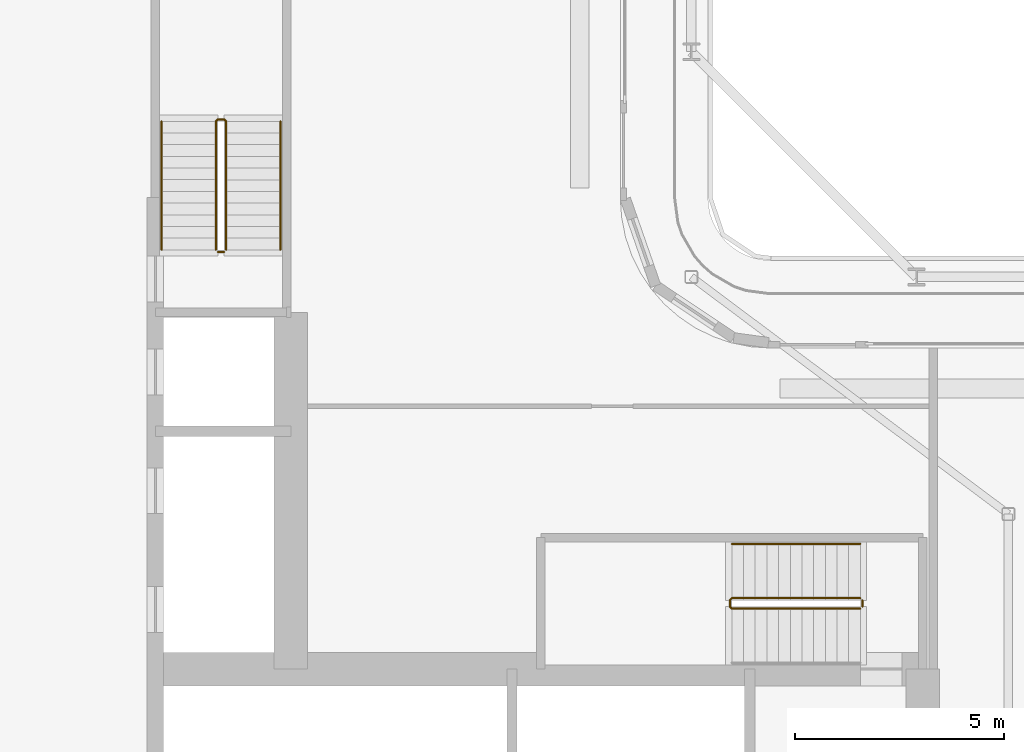
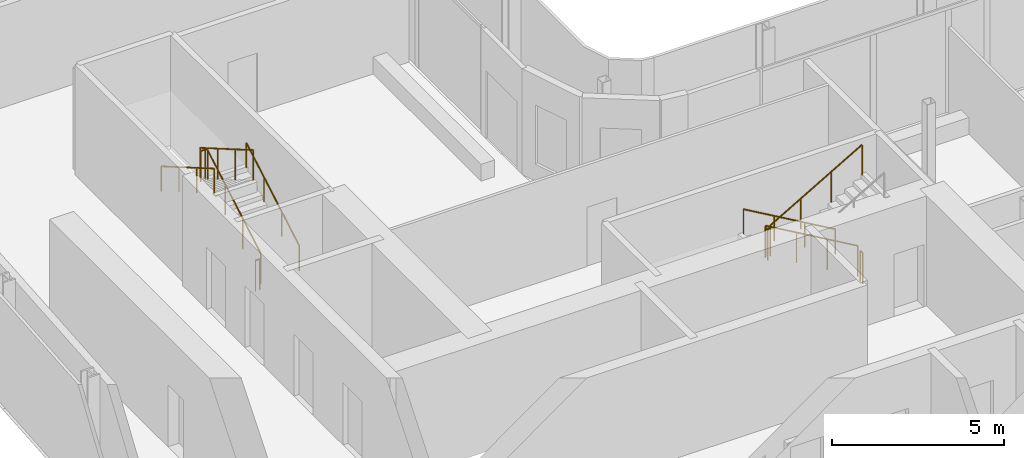
# One storey, part 24 of 29: 7 railings.
"""IFC4 building model written with IfcOpenShell, lengths in metres."""

from ifc_helpers import new_model, si_unit, direction, frame, origin, origin_2d, place, context, subcontext, project, spatial, circle, extrude, material, type_object, element, save


model = new_model("IFC4")

# Units and contexts
model_context = context("Model", 3, precision=1e-05, world=origin(), true_north=direction((0.0, 1.0)))
body_context = subcontext(model_context, "Body", "Model", "MODEL_VIEW")
ifc_project = project(units=[si_unit("LENGTHUNIT", "METRE"), si_unit("AREAUNIT", "SQUARE_METRE"), si_unit("VOLUMEUNIT", "CUBIC_METRE"), si_unit("PLANEANGLEUNIT", "RADIAN"), si_unit("MASSUNIT", "GRAM", prefix="KILO")], contexts=[model_context])

# Site, building, storey
site_placement = place(None, origin())
site = spatial("IfcSite", under=ifc_project, at=site_placement, CompositionType="ELEMENT")
building_placement = place(site_placement, origin())
building = spatial("IfcBuilding", under=site, at=building_placement, Name="Kheshtan School and Residences Tower", CompositionType="ELEMENT")
storey_placement = place(building_placement, frame((0.0, 0.0, 183.800048828125)))
storey = spatial("IfcBuildingStorey", under=building, at=storey_placement, Name="L43", CompositionType="ELEMENT", Elevation=183.800048828125)

# Railings
ifc_material_1 = material(Name="Stainless steel balustrade", Category="steel")
railing_type_1 = type_object("IfcRailingType", Name="Stair guard 1100", PredefinedType="GUARDRAIL", material=ifc_material_1)
railing_1_placement = place(storey_placement, frame((51.64990234375, 37.89990234375, 0.162353515625)))
element("IfcRailing", 1, at=railing_1_placement, inside=storey, type_object=railing_type_1, Name="L43 ST1 stair guard 1", PredefinedType="GUARDRAIL", context=body_context, shape_type="SweptSolid", body=[
    extrude(circle(Radius=0.02392578125, at=origin_2d()), frame((0.0, 0.0, 1.076171875), z_axis=(-0.864873446163, 0.0, 0.501989962173), x_axis=(0.0, -1.0, 0.0)), (0.0, 0.0, 1.0), 3.56103515625),
    extrude(circle(Radius=0.02392578125, at=origin_2d()), frame((-3.079833984375, 0.0, 2.86376953125), z_axis=(-0.708833529934, -0.705375805398, 0.0), x_axis=(0.705375805398, -0.708833529934, 0.0)), (0.0, 0.0, 1.0), 0.070556640625),
    extrude(circle(Radius=0.02392578125, at=origin_2d()), frame((-3.1298828125, -0.0498046875, 2.86376953125), z_axis=(0.0, -1.0, 0.0), x_axis=(1.0, 0.0, 0.0)), (0.0, 0.0, 1.0), 0.150146484375),
    extrude(circle(Radius=0.02392578125, at=origin_2d()), frame((-3.1298828125, -0.199951171875, 2.86376953125), z_axis=(0.282227285176, -0.282227285176, 0.916894497205), x_axis=(0.707106781187, 0.707106781187, 0.0)), (0.0, 0.0, 1.0), 0.17724609375),
    extrude(circle(Radius=0.02392578125, at=origin_2d()), frame((-3.079833984375, -0.25, 3.0263671875), z_axis=(0.864903211148, 0.0, 0.501938676878), x_axis=(0.0, 1.0, 0.0)), (0.0, 0.0, 1.0), 3.560791015625),
    extrude(circle(Radius=0.02099609375, at=origin_2d()), origin(), (0.0, 0.0, 1.0), 1.052001953125),
    extrude(circle(Radius=0.02099609375, at=origin_2d()), frame((-1.026611328125, 0.0, 0.595947265625)), (0.0, 0.0, 1.0), 1.052001953125),
    extrude(circle(Radius=0.02099609375, at=origin_2d()), frame((-2.05322265625, 0.0, 1.191650390625)), (0.0, 0.0, 1.0), 1.052001953125),
    extrude(circle(Radius=0.02099609375, at=origin_2d()), frame((-3.079833984375, 0.0, 1.78759765625)), (0.0, 0.0, 1.0), 1.052001953125),
    extrude(circle(Radius=0.02099609375, at=origin_2d()), frame((-3.1298828125, -0.0498046875, 1.78759765625)), (0.0, 0.0, 1.0), 1.052001953125),
    extrude(circle(Radius=0.02099609375, at=origin_2d()), frame((-3.1298828125, -0.199951171875, 1.78759765625)), (0.0, 0.0, 1.0), 1.052001953125),
    extrude(circle(Radius=0.02099609375, at=origin_2d()), frame((-3.079833984375, -0.25, 1.9501953125)), (0.0, 0.0, 1.0), 1.052001953125),
    extrude(circle(Radius=0.02099609375, at=origin_2d()), frame((-2.05322265625, -0.25, 2.5458984375)), (0.0, 0.0, 1.0), 1.052001953125),
    extrude(circle(Radius=0.02099609375, at=origin_2d()), frame((-1.026611328125, -0.25, 3.141845703125)), (0.0, 0.0, 1.0), 1.052001953125),
    extrude(circle(Radius=0.02099609375, at=origin_2d()), frame((0.0, -0.25, 3.737548828125)), (0.0, 0.0, 1.0), 1.052001953125),
])
railing_2_placement = place(storey_placement, frame((51.699951171875, 37.85009765625, 0.0)))
element("IfcRailing", 2, at=railing_2_placement, inside=storey, type_object=railing_type_1, Name="L43 ST1 stair guard 2", PredefinedType="GUARDRAIL", context=body_context, shape_type="SweptSolid", body=[
    extrude(circle(Radius=0.02392578125, at=origin_2d()), frame((0.0, 0.0, 1.076171875), z_axis=(0.0, -1.0, 0.0), x_axis=(1.0, 0.0, 0.0)), (0.0, 0.0, 1.0), 0.150146484375),
    extrude(circle(Radius=0.02099609375, at=origin_2d()), origin(), (0.0, 0.0, 1.0), 1.052001953125),
    extrude(circle(Radius=0.02099609375, at=origin_2d()), frame((0.0, -0.150146484375, 0.0)), (0.0, 0.0, 1.0), 1.052001953125),
])
railing_3_placement = place(storey_placement, frame((36.449951171875, 46.25, 0.162353515625)))
element("IfcRailing", 3, at=railing_3_placement, inside=storey, type_object=railing_type_1, Name="L43 ST2 stair guard 1", PredefinedType="GUARDRAIL", context=body_context, shape_type="SweptSolid", body=[
    extrude(circle(Radius=0.02392578125, at=origin_2d()), frame((0.0, 0.0, 1.076171875), z_axis=(0.0, 0.864890721111, 0.501960198159), x_axis=(-1.0, 0.0, 0.0)), (0.0, 0.0, 1.0), 3.561279296875),
    extrude(circle(Radius=0.02392578125, at=origin_2d()), frame((0.0, 3.080078125, 2.86376953125), z_axis=(-0.708833529934, 0.705375805398, 0.0), x_axis=(-0.705375805398, -0.708833529934, 0.0)), (0.0, 0.0, 1.0), 0.070556640625),
    extrude(circle(Radius=0.02392578125, at=origin_2d()), frame((-0.050048828125, 3.1298828125, 2.86376953125), z_axis=(-1.0, 0.0, 0.0), x_axis=(0.0, -1.0, 0.0)), (0.0, 0.0, 1.0), 0.14990234375),
    extrude(circle(Radius=0.02392578125, at=origin_2d()), frame((-0.199951171875, 3.1298828125, 2.86376953125), z_axis=(-0.282336740067, -0.280959487676, 0.917250092119), x_axis=(0.705375805398, -0.708833529934, 0.0)), (0.0, 0.0, 1.0), 0.17724609375),
    extrude(circle(Radius=0.02392578125, at=origin_2d()), frame((-0.25, 3.080078125, 3.0263671875), z_axis=(0.0, -0.864920483161, 0.501908913857), x_axis=(1.0, 0.0, 0.0)), (0.0, 0.0, 1.0), 3.56103515625),
    extrude(circle(Radius=0.02099609375, at=origin_2d()), origin(), (0.0, 0.0, 1.0), 1.052001953125),
    extrude(circle(Radius=0.02099609375, at=origin_2d()), frame((0.0, 1.026611328125, 0.595947265625)), (0.0, 0.0, 1.0), 1.052001953125),
    extrude(circle(Radius=0.02099609375, at=origin_2d()), frame((0.0, 2.053466796875, 1.191650390625)), (0.0, 0.0, 1.0), 1.052001953125),
    extrude(circle(Radius=0.02099609375, at=origin_2d()), frame((0.0, 3.080078125, 1.78759765625)), (0.0, 0.0, 1.0), 1.052001953125),
    extrude(circle(Radius=0.02099609375, at=origin_2d()), frame((-0.050048828125, 3.1298828125, 1.78759765625)), (0.0, 0.0, 1.0), 1.052001953125),
    extrude(circle(Radius=0.02099609375, at=origin_2d()), frame((-0.199951171875, 3.1298828125, 1.78759765625)), (0.0, 0.0, 1.0), 1.052001953125),
    extrude(circle(Radius=0.02099609375, at=origin_2d()), frame((-0.25, 3.080078125, 1.9501953125)), (0.0, 0.0, 1.0), 1.052001953125),
    extrude(circle(Radius=0.02099609375, at=origin_2d()), frame((-0.25, 2.053466796875, 2.5458984375)), (0.0, 0.0, 1.0), 1.052001953125),
    extrude(circle(Radius=0.02099609375, at=origin_2d()), frame((-0.25, 1.026611328125, 3.141845703125)), (0.0, 0.0, 1.0), 1.052001953125),
    extrude(circle(Radius=0.02099609375, at=origin_2d()), frame((-0.25, 0.0, 3.737548828125)), (0.0, 0.0, 1.0), 1.052001953125),
])
railing_4_placement = place(storey_placement, frame((36.39990234375, 46.199951171875, 0.0)))
element("IfcRailing", 4, at=railing_4_placement, inside=storey, type_object=railing_type_1, Name="L43 ST2 stair guard 2", PredefinedType="GUARDRAIL", context=body_context, shape_type="SweptSolid", body=[
    extrude(circle(Radius=0.02392578125, at=origin_2d()), frame((0.0, 0.0, 1.076171875), z_axis=(-1.0, 0.0, 0.0), x_axis=(0.0, -1.0, 0.0)), (0.0, 0.0, 1.0), 0.14990234375),
    extrude(circle(Radius=0.02099609375, at=origin_2d()), origin(), (0.0, 0.0, 1.0), 1.052001953125),
    extrude(circle(Radius=0.02099609375, at=origin_2d()), frame((-0.14990234375, 0.0, 0.0)), (0.0, 0.0, 1.0), 1.052001953125),
])
ifc_material_2 = material(Name="Stainless steel handrail", Category="steel")
railing_type_2 = type_object("IfcRailingType", Name="Stair handrail 900", PredefinedType="HANDRAIL", material=ifc_material_2)
railing_5_placement = place(storey_placement, frame((51.64990234375, 39.199951171875, 0.162353515625)))
element("IfcRailing", 5, at=railing_5_placement, inside=storey, type_object=railing_type_2, Name="L43 ST1 stair handrail 1", PredefinedType="HANDRAIL", context=body_context, shape_type="SweptSolid", body=[
    extrude(circle(Radius=0.02392578125, at=origin_2d()), frame((0.0, 0.0, 0.8759765625), z_axis=(-0.864873446163, 0.0, 0.501989962173), x_axis=(0.0, -1.0, 0.0)), (0.0, 0.0, 1.0), 3.56103515625),
    extrude(circle(Radius=0.02099609375, at=origin_2d()), origin(), (0.0, 0.0, 1.0), 0.851806640625),
    extrude(circle(Radius=0.02099609375, at=origin_2d()), frame((-1.026611328125, 0.0, 0.595947265625)), (0.0, 0.0, 1.0), 0.851806640625),
    extrude(circle(Radius=0.02099609375, at=origin_2d()), frame((-2.05322265625, 0.0, 1.191650390625)), (0.0, 0.0, 1.0), 0.851806640625),
    extrude(circle(Radius=0.02099609375, at=origin_2d()), frame((-3.079833984375, 0.0, 1.78759765625)), (0.0, 0.0, 1.0), 0.851806640625),
])
railing_6_placement = place(storey_placement, frame((37.75, 46.25, 0.162353515625)))
element("IfcRailing", 6, at=railing_6_placement, inside=storey, type_object=railing_type_2, Name="L43 ST2 stair handrail 1", PredefinedType="HANDRAIL", context=body_context, shape_type="SweptSolid", body=[
    extrude(circle(Radius=0.02392578125, at=origin_2d()), frame((0.0, 0.0, 0.8759765625), z_axis=(0.0, 0.864890721111, 0.501960198159), x_axis=(-1.0, 0.0, 0.0)), (0.0, 0.0, 1.0), 3.561279296875),
    extrude(circle(Radius=0.02099609375, at=origin_2d()), origin(), (0.0, 0.0, 1.0), 0.851806640625),
    extrude(circle(Radius=0.02099609375, at=origin_2d()), frame((0.0, 1.026611328125, 0.595947265625)), (0.0, 0.0, 1.0), 0.851806640625),
    extrude(circle(Radius=0.02099609375, at=origin_2d()), frame((0.0, 2.053466796875, 1.191650390625)), (0.0, 0.0, 1.0), 0.851806640625),
    extrude(circle(Radius=0.02099609375, at=origin_2d()), frame((0.0, 3.080078125, 1.78759765625)), (0.0, 0.0, 1.0), 0.851806640625),
])
railing_7_placement = place(storey_placement, frame((34.89990234375, 49.330078125, 2.112548828125)))
element("IfcRailing", 7, at=railing_7_placement, inside=storey, type_object=railing_type_2, Name="L43 ST2 stair handrail 2", PredefinedType="HANDRAIL", context=body_context, shape_type="SweptSolid", body=[
    extrude(circle(Radius=0.02392578125, at=origin_2d()), frame((0.0, 0.0, 0.8759765625), z_axis=(0.0, -0.864920483161, 0.501908913857), x_axis=(1.0, 0.0, 0.0)), (0.0, 0.0, 1.0), 3.56103515625),
    extrude(circle(Radius=0.02099609375, at=origin_2d()), origin(), (0.0, 0.0, 1.0), 0.851806640625),
    extrude(circle(Radius=0.02099609375, at=origin_2d()), frame((0.0, -1.026611328125, 0.595703125)), (0.0, 0.0, 1.0), 0.851806640625),
    extrude(circle(Radius=0.02099609375, at=origin_2d()), frame((0.0, -2.053466796875, 1.191650390625)), (0.0, 0.0, 1.0), 0.851806640625),
    extrude(circle(Radius=0.02099609375, at=origin_2d()), frame((0.0, -3.080078125, 1.787353515625)), (0.0, 0.0, 1.0), 0.851806640625),
])

save(model, "model.ifc")
